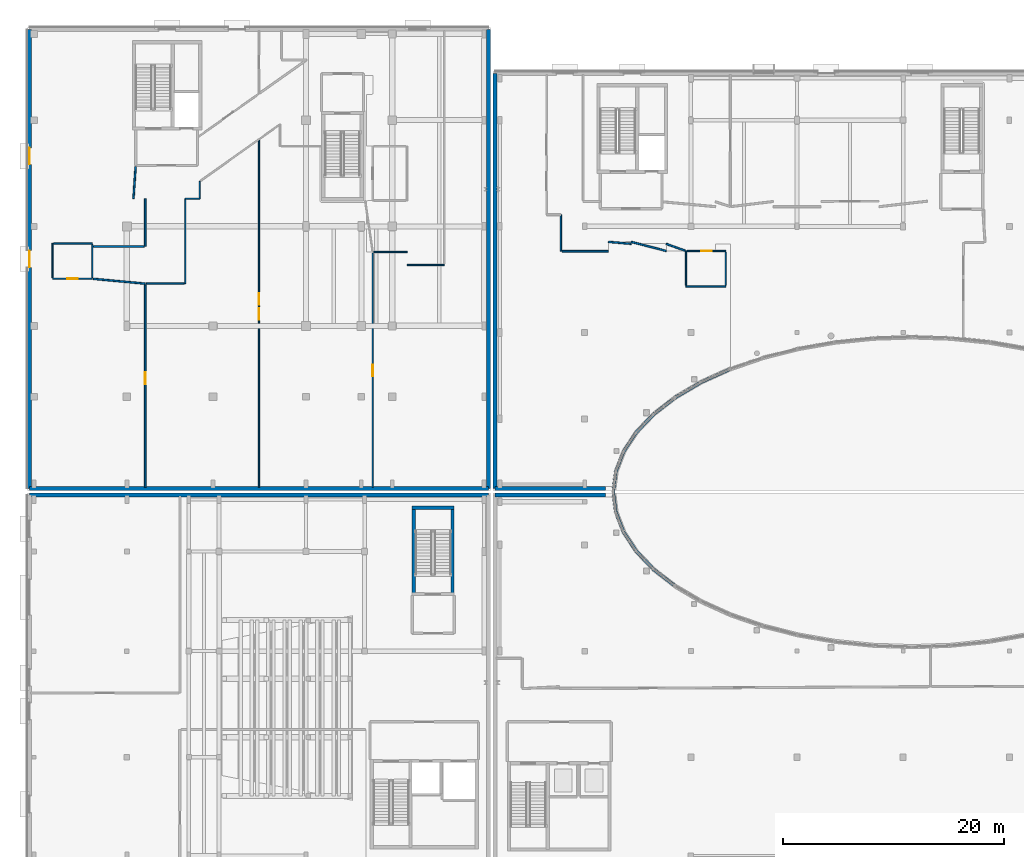
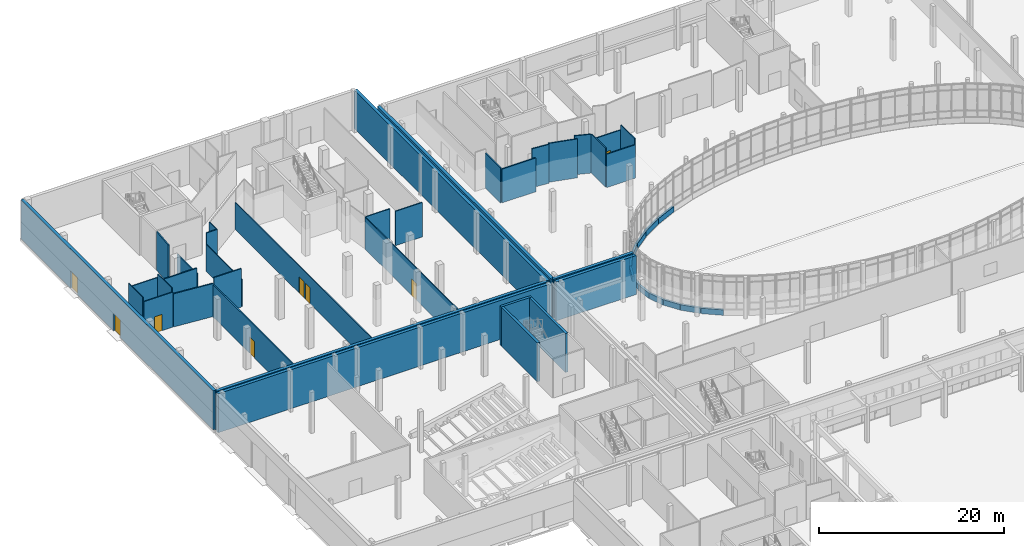
# One storey, part 46 of 84: 48 walls, 8 doors, 8 openings.
"""IFC4 building model written with IfcOpenShell, lengths in metres."""

from ifc_helpers import new_model, si_unit, direction, frame, frame_2d, origin, place, context, subcontext, project, spatial, rectangle, extrude, material, layer, layer_set, type_object, element, fill, save


model = new_model("IFC4")

# Units and contexts
model_context = context("Model", 3, precision=1e-05, world=origin(), true_north=direction((0.0, 1.0)))
body_context = subcontext(model_context, "Body", "Model", "MODEL_VIEW")
ifc_project = project(units=[si_unit("LENGTHUNIT", "METRE"), si_unit("AREAUNIT", "SQUARE_METRE"), si_unit("VOLUMEUNIT", "CUBIC_METRE"), si_unit("PLANEANGLEUNIT", "RADIAN"), si_unit("MASSUNIT", "GRAM", prefix="KILO")], contexts=[model_context])

# Site, building, storey
site_placement = place(None, origin())
site = spatial("IfcSite", under=ifc_project, at=site_placement, CompositionType="ELEMENT")
building_placement = place(site_placement, origin())
building = spatial("IfcBuilding", under=site, at=building_placement, Name="Mzevani Central Library", CompositionType="ELEMENT")
storey_placement = place(building_placement, origin())
storey = spatial("IfcBuildingStorey", under=building, at=storey_placement, Name="L00", CompositionType="ELEMENT", Elevation=0.0)

# Walls
ifc_material_1 = material(Name="Concrete C40/50", Category="concrete")
ifc_layer_1 = layer(ifc_material_1, 0.300048828125, Name="Core Shear Wall 300")
ifc_layer_set_1 = layer_set([ifc_layer_1], Name="Concrete C40/50")
wall_type_1 = type_object("IfcWallType", Name="Core Shear Wall 300", PredefinedType="SHEAR", material=ifc_layer_set_1)
wall_1_placement = place(storey_placement, frame((38.949951171875, 66.60009765625, 0.0), z_axis=(0.0, 0.0, 1.0), x_axis=(0.0, 1.0, 0.0)))
element("IfcWall", 1, at=wall_1_placement, inside=storey, type_object=wall_type_1, Name="L00 Core C5B Lecture North Escape Stair Shear Wall (-x)", PredefinedType="SHEAR", context=body_context, shape_type="SweptSolid", body=[
    extrude(rectangle(XDim=8.099853515625, YDim=0.300048828125, at=frame_2d((4.0498046875, 0.0))), origin(), (0.0, 0.0, 1.0), 5.139892578125),
])
wall_2_placement = place(storey_placement, frame((38.800048828125, 74.550048828125, 0.0), z_axis=(0.0, 0.0, 1.0), x_axis=(1.0, 0.0, 0.0)))
element("IfcWall", 2, at=wall_2_placement, inside=storey, type_object=wall_type_1, Name="L00 Core C5B Lecture North Escape Stair Shear Wall (+y)", PredefinedType="SHEAR", context=body_context, shape_type="SweptSolid", body=[
    extrude(rectangle(XDim=3.800048828125, YDim=0.300048828125, at=frame_2d((1.89990234375, 0.0))), origin(), (0.0, 0.0, 1.0), 5.139892578125),
])
wall_3_placement = place(storey_placement, frame((42.449951171875, 74.699951171875, 0.0), z_axis=(0.0, 0.0, 1.0), x_axis=(0.0, -1.0, 0.0)))
element("IfcWall", 3, at=wall_3_placement, inside=storey, type_object=wall_type_1, Name="L00 Core C5B Lecture North Escape Stair Shear Wall (+x)", PredefinedType="SHEAR", context=body_context, shape_type="SweptSolid", body=[
    extrude(rectangle(XDim=8.099853515625, YDim=0.300048828125, at=frame_2d((4.0498046875, 0.0))), origin(), (0.0, 0.0, 1.0), 5.139892578125),
])
ifc_material_2 = material(Name="Precast concrete C40/50", Category="concrete")
ifc_layer_2 = layer(ifc_material_2, 0.280029296875, Name="Court Spandrel Wall 280")
ifc_layer_set_2 = layer_set([ifc_layer_2], Name="Precast concrete C40/50")
wall_type_2 = type_object("IfcWallType", Name="Court Spandrel Wall 280", PredefinedType="STANDARD", material=ifc_layer_set_2)
wall_4_placement = place(storey_placement, frame((67.49560546875, 87.069580078125, 0.0), z_axis=(0.0, 0.0, 1.0), x_axis=(-0.911231648639, -0.411894261333, 0.0)))
element("IfcWall", 4, at=wall_4_placement, inside=storey, type_object=wall_type_2, Name="L00 Elliptical Court Spandrel 18", PredefinedType="STANDARD", context=body_context, shape_type="SweptSolid", body=[
    extrude(rectangle(XDim=2.892578125, YDim=0.280029296875, at=frame_2d((1.4462890625, 0.0))), origin(), (0.0, 0.0, 1.0), 0.719970703125),
])
wall_5_placement = place(storey_placement, frame((64.84912109375, 85.857421875, 0.0), z_axis=(0.0, 0.0, 1.0), x_axis=(-0.862149496171, -0.506653970923, 0.0)))
element("IfcWall", 5, at=wall_5_placement, inside=storey, type_object=wall_type_2, Name="L00 Elliptical Court Spandrel 19", PredefinedType="STANDARD", context=body_context, shape_type="SweptSolid", body=[
    extrude(rectangle(XDim=2.68115234375, YDim=0.280029296875, at=frame_2d((1.340576171875, 0.0))), origin(), (0.0, 0.0, 1.0), 0.719970703125),
])
wall_6_placement = place(storey_placement, frame((62.530029296875, 84.47998046875, 0.0), z_axis=(0.0, 0.0, 1.0), x_axis=(-0.791815172507, -0.610760781802, 0.0)))
element("IfcWall", 6, at=wall_6_placement, inside=storey, type_object=wall_type_2, Name="L00 Elliptical Court Spandrel 20", PredefinedType="STANDARD", context=body_context, shape_type="SweptSolid", body=[
    extrude(rectangle(XDim=2.45947265625, YDim=0.280029296875, at=frame_2d((1.229736328125, 0.0))), origin(), (0.0, 0.0, 1.0), 0.719970703125),
])
wall_7_placement = place(storey_placement, frame((60.577392578125, 82.960205078125, 0.0), z_axis=(0.0, 0.0, 1.0), x_axis=(-0.691368458863, -0.722502355767, 0.0)))
element("IfcWall", 7, at=wall_7_placement, inside=storey, type_object=wall_type_2, Name="L00 Elliptical Court Spandrel 21", PredefinedType="STANDARD", context=body_context, shape_type="SweptSolid", body=[
    extrude(rectangle(XDim=2.24267578125, YDim=0.280029296875, at=frame_2d((1.121337890625, 0.0))), origin(), (0.0, 0.0, 1.0), 0.719970703125),
])
wall_8_placement = place(storey_placement, frame((59.023193359375, 81.32373046875, 0.0), z_axis=(0.0, 0.0, 1.0), x_axis=(-0.54998854207, -0.835172199963, 0.0)))
element("IfcWall", 8, at=wall_8_placement, inside=storey, type_object=wall_type_2, Name="L00 Elliptical Court Spandrel 22", PredefinedType="STANDARD", context=body_context, shape_type="SweptSolid", body=[
    extrude(rectangle(XDim=2.048583984375, YDim=0.280029296875, at=frame_2d((1.0244140625, 0.0))), origin(), (0.0, 0.0, 1.0), 0.719970703125),
])
wall_9_placement = place(storey_placement, frame((57.894287109375, 79.597412109375, 0.0), z_axis=(0.0, 0.0, 1.0), x_axis=(-0.359995131932, -0.932954181611, 0.0)))
element("IfcWall", 9, at=wall_9_placement, inside=storey, type_object=wall_type_2, Name="L00 Elliptical Court Spandrel 23", PredefinedType="STANDARD", context=body_context, shape_type="SweptSolid", body=[
    extrude(rectangle(XDim=1.899658203125, YDim=0.280029296875, at=frame_2d((0.94970703125, 0.0))), origin(), (0.0, 0.0, 1.0), 0.719970703125),
])
for number, where, z_axis, x_axis, name in (
    (10, (57.20947265625, 77.810302734375, 0.0), (0.0, 0.0, 1.0), (-0.126266296453, -0.991996382241, 0.0), "L00 Elliptical Court Spandrel 24"),
    (11, (56.97998046875, 75.99267578125, 0.0), (0.0, 0.0, 1.0), (0.126266296453, -0.991996382241, 0.0), "L00 Elliptical Court Spandrel 25"),
):
    element("IfcWall", number, at=place(storey_placement, frame(where, z_axis=z_axis, x_axis=x_axis)), inside=storey, type_object=wall_type_2, Name=name, PredefinedType="STANDARD", context=body_context, shape_type="SweptSolid", body=[
        extrude(rectangle(XDim=1.817626953125, YDim=0.280029296875, at=frame_2d((0.90869140625, 0.0))), origin(), (0.0, 0.0, 1.0), 0.719970703125),
    ])
wall_10_placement = place(storey_placement, frame((57.21044921875, 74.1748046875, 0.0), z_axis=(0.0, 0.0, 1.0), x_axis=(0.359995131932, -0.932954181611, 0.0)))
element("IfcWall", 12, at=wall_10_placement, inside=storey, type_object=wall_type_2, Name="L00 Elliptical Court Spandrel 26", PredefinedType="STANDARD", context=body_context, shape_type="SweptSolid", body=[
    extrude(rectangle(XDim=1.899658203125, YDim=0.280029296875, at=frame_2d((0.94970703125, 0.0))), origin(), (0.0, 0.0, 1.0), 0.719970703125),
])
wall_11_placement = place(storey_placement, frame((57.896484375, 72.38720703125, 0.0), z_axis=(0.0, 0.0, 1.0), x_axis=(0.54998854207, -0.835172199963, 0.0)))
element("IfcWall", 13, at=wall_11_placement, inside=storey, type_object=wall_type_2, Name="L00 Elliptical Court Spandrel 27", PredefinedType="STANDARD", context=body_context, shape_type="SweptSolid", body=[
    extrude(rectangle(XDim=2.048583984375, YDim=0.280029296875, at=frame_2d((1.0244140625, 0.0))), origin(), (0.0, 0.0, 1.0), 0.719970703125),
])
wall_12_placement = place(storey_placement, frame((59.02685546875, 70.66015625, 0.0), z_axis=(0.0, 0.0, 1.0), x_axis=(0.691368458863, -0.722502355767, 0.0)))
element("IfcWall", 14, at=wall_12_placement, inside=storey, type_object=wall_type_2, Name="L00 Elliptical Court Spandrel 28", PredefinedType="STANDARD", context=body_context, shape_type="SweptSolid", body=[
    extrude(rectangle(XDim=2.24267578125, YDim=0.280029296875, at=frame_2d((1.121337890625, 0.0))), origin(), (0.0, 0.0, 1.0), 0.719970703125),
])
wall_13_placement = place(storey_placement, frame((60.58251953125, 69.022216796875, 0.0), z_axis=(0.0, 0.0, 1.0), x_axis=(0.791815172507, -0.610760781802, 0.0)))
element("IfcWall", 15, at=wall_13_placement, inside=storey, type_object=wall_type_2, Name="L00 Elliptical Court Spandrel 29", PredefinedType="STANDARD", context=body_context, shape_type="SweptSolid", body=[
    extrude(rectangle(XDim=2.45947265625, YDim=0.280029296875, at=frame_2d((1.229736328125, 0.0))), origin(), (0.0, 0.0, 1.0), 0.719970703125),
])
ifc_layer_3 = layer(ifc_material_2, 0.3798828125, Name="Exterior Thermal Concrete Wall 380")
ifc_layer_set_3 = layer_set([ifc_layer_3], Name="Precast concrete C40/50")
wall_type_3 = type_object("IfcWallType", Name="Exterior Thermal Concrete Wall 380", PredefinedType="STANDARD", material=ifc_layer_set_3)
wall_14_placement = place(storey_placement, frame((46.2900390625, 75.7099609375, 0.0), z_axis=(0.0, 0.0, 1.0), x_axis=(1.0, 0.0, 0.0)))
element("IfcWall", 16, at=wall_14_placement, inside=storey, type_object=wall_type_3, Name="L00 V1 Exterior Thermal Wall (4)", PredefinedType="STANDARD", context=body_context, shape_type="SweptSolid", body=[
    extrude(rectangle(XDim=9.9892578125, YDim=0.3798828125, at=frame_2d((4.99462890625, 0.0))), origin(), (0.0, 0.0, 1.0), 5.139892578125),
])
wall_15_placement = place(storey_placement, frame((45.7099609375, 76.2900390625, 0.0), z_axis=(0.0, 0.0, 1.0), x_axis=(-1.0, 0.0, 0.0)))
element("IfcWall", 17, at=wall_15_placement, inside=storey, type_object=wall_type_3, Name="L00 V2 Exterior Thermal Wall (16)", PredefinedType="STANDARD", context=body_context, shape_type="SweptSolid", body=[
    extrude(rectangle(XDim=41.52001953125, YDim=0.3798828125, at=frame_2d((20.760009765625, 0.0))), origin(), (0.0, 0.0, 1.0), 5.080078125),
])

# Wall, openings, doors
wall_16_placement = place(storey_placement, frame((4.18994140625, 76.2900390625, 0.0), z_axis=(0.0, 0.0, 1.0), x_axis=(0.0, 1.0, 0.0)))
wall_16 = element("IfcWall", 18, at=wall_16_placement, inside=storey, type_object=wall_type_3, Name="L00 V2 Exterior Thermal Wall (17)", PredefinedType="STANDARD", context=body_context, shape_type="SweptSolid", body=[
    extrude(rectangle(XDim=41.52001953125, YDim=0.3798828125, at=frame_2d((20.760009765625, 0.0))), origin(), (0.0, 0.0, 1.0), 5.139892578125),
])
opening_1_placement = place(wall_16_placement, frame((20.010009765625, 0.0, 0.0)))
opening_1 = element("IfcOpeningElement", 19, at=opening_1_placement, cuts=wall_16, Name="Opening ED-01", PredefinedType="OPENING", context=body_context, shape_type="SweptSolid", body=[
    extrude(rectangle(XDim=1.5, YDim=2.300048828125, at=frame_2d((0.75, 1.14990234375))), frame((0.0, 0.199951171875, 0.0), z_axis=(0.0, -1.0, 0.0), x_axis=(1.0, 0.0, 0.0)), (0.0, 0.0, 1.0), 0.39990234375),
])
opening_2_placement = place(wall_16_placement, frame((29.31005859375, 0.0, 0.0)))
opening_2 = element("IfcOpeningElement", 20, at=opening_2_placement, cuts=wall_16, Name="Opening ED-01", PredefinedType="OPENING", context=body_context, shape_type="SweptSolid", body=[
    extrude(rectangle(XDim=1.5, YDim=2.300048828125, at=frame_2d((0.75, 1.14990234375))), frame((0.0, 0.199951171875, 0.0), z_axis=(0.0, -1.0, 0.0), x_axis=(1.0, 0.0, 0.0)), (0.0, 0.0, 1.0), 0.39990234375),
])
ifc_material_3 = material(Name="Anodized architectural bronze")
door_type_1 = type_object("IfcDoorType", Name="Exterior Final Exit Door 1500x2300", OperationType="NOTDEFINED", PredefinedType="DOOR", material=ifc_material_3)
door_1_placement = place(opening_1_placement, origin())
door_1 = element("IfcDoor", 21, at=door_1_placement, inside=storey, type_object=door_type_1, Name="L00 V2 Exterior Entrance / Exit Door (10)", OperationType="SINGLE_SWING_LEFT", OverallHeight=2.300048828125, OverallWidth=1.5, PredefinedType="DOOR", context=body_context, shape_type="SweptSolid", body=[
    extrude(rectangle(XDim=1.5, YDim=2.300048828125, at=frame_2d((0.75, 1.14990234375))), frame((0.0, 0.02490234375, 0.0), z_axis=(0.0, -1.0, 0.0), x_axis=(1.0, 0.0, 0.0)), (0.0, 0.0, 1.0), 0.050048828125),
])
fill(opening_1, door_1)
door_2_placement = place(opening_2_placement, origin())
door_2 = element("IfcDoor", 22, at=door_2_placement, inside=storey, type_object=door_type_1, Name="L00 ST-04 Final Grade Exit Discharge Door", OperationType="SINGLE_SWING_LEFT", OverallHeight=2.300048828125, OverallWidth=1.5, PredefinedType="DOOR", context=body_context, shape_type="SweptSolid", body=[
    extrude(rectangle(XDim=1.5, YDim=2.300048828125, at=frame_2d((0.75, 1.14990234375))), frame((0.0, 0.02490234375, 0.0), z_axis=(0.0, -1.0, 0.0), x_axis=(1.0, 0.0, 0.0)), (0.0, 0.0, 1.0), 0.050048828125),
])
fill(opening_2, door_2)

# Walls
wall_17_placement = place(storey_placement, frame((45.7099609375, 117.81005859375, 0.0), z_axis=(0.0, 0.0, 1.0), x_axis=(0.0, -1.0, 0.0)))
element("IfcWall", 23, at=wall_17_placement, inside=storey, type_object=wall_type_3, Name="L00 V2 Exterior Thermal Wall (19)", PredefinedType="STANDARD", context=body_context, shape_type="SweptSolid", body=[
    extrude(rectangle(XDim=41.52001953125, YDim=0.3798828125, at=frame_2d((20.760009765625, 0.0))), origin(), (0.0, 0.0, 1.0), 5.080078125),
])
wall_18_placement = place(storey_placement, frame((46.2900390625, 76.2900390625, 0.0), z_axis=(0.0, 0.0, 1.0), x_axis=(0.0, 1.0, 0.0)))
element("IfcWall", 24, at=wall_18_placement, inside=storey, type_object=wall_type_3, Name="L00 V3 Exterior Thermal Wall (40)", PredefinedType="STANDARD", context=body_context, shape_type="SweptSolid", body=[
    extrude(rectangle(XDim=37.52001953125, YDim=0.3798828125, at=frame_2d((18.760009765625, 0.0))), origin(), (0.0, 0.0, 1.0), 5.1201171875),
])
wall_19_placement = place(storey_placement, frame((56.279296875, 76.2900390625, 0.0), z_axis=(0.0, 0.0, 1.0), x_axis=(-1.0, 0.0, 0.0)))
element("IfcWall", 25, at=wall_19_placement, inside=storey, type_object=wall_type_3, Name="L00 V3 Exterior Thermal Wall (44)", PredefinedType="STANDARD", context=body_context, shape_type="SweptSolid", body=[
    extrude(rectangle(XDim=9.9892578125, YDim=0.3798828125, at=frame_2d((4.99462890625, 0.0))), origin(), (0.0, 0.0, 1.0), 5.1201171875),
])
wall_20_placement = place(storey_placement, frame((4.18994140625, 75.7099609375, 0.0), z_axis=(0.0, 0.0, 1.0), x_axis=(1.0, 0.0, 0.0)))
element("IfcWall", 26, at=wall_20_placement, inside=storey, type_object=wall_type_3, Name="L00 V5 Exterior Thermal Wall (90)", PredefinedType="STANDARD", context=body_context, shape_type="SweptSolid", body=[
    extrude(rectangle(XDim=41.52001953125, YDim=0.3798828125, at=frame_2d((20.760009765625, 0.0))), origin(), (0.0, 0.0, 1.0), 5.139892578125),
])

# Wall, opening, door
ifc_material_4 = material(Name="Fire-rated gypsum board", Category="gypsum")
ifc_layer_4 = layer(ifc_material_4, 0.1201171875, Name="Partition Acoustic 120")
ifc_layer_set_4 = layer_set([ifc_layer_4], Name="Fire-rated gypsum board")
wall_type_4 = type_object("IfcWallType", Name="Partition Acoustic 120", PredefinedType="PARTITIONING", material=ifc_layer_set_4)
wall_21_placement = place(storey_placement, frame((9.8798828125, 95.264404296875, 0.0), z_axis=(0.0, 0.0, 1.0), x_axis=(-1.0, 0.0, 0.0)))
wall_21 = element("IfcWall", 27, at=wall_21_placement, inside=storey, type_object=wall_type_4, Name="L00 V2 Partition IW-02 (93)", PredefinedType="PARTITIONING", context=body_context, shape_type="SweptSolid", body=[
    extrude(rectangle(XDim=3.599853515625, YDim=0.1201171875, at=frame_2d((1.7998046875, 0.0))), origin(), (0.0, 0.0, 1.0), 4.60009765625),
])
opening_3_placement = place(wall_21_placement, frame((1.324951171875, 0.0, 0.0)))
opening_3 = element("IfcOpeningElement", 28, at=opening_3_placement, cuts=wall_21, Name="Opening ID-02", PredefinedType="OPENING", context=body_context, shape_type="SweptSolid", body=[
    extrude(rectangle(XDim=0.949951171875, YDim=2.14990234375, at=frame_2d((0.47509765625, 1.074951171875))), frame((0.0, 0.070068359375, 0.0), z_axis=(0.0, -1.0, 0.0), x_axis=(1.0, 0.0, 0.0)), (0.0, 0.0, 1.0), 0.14013671875),
])
ifc_material_5 = material(Name="Fire-rated solid oak leaf")
door_type_2 = type_object("IfcDoorType", Name="Accessible WC Door 950x2150", OperationType="NOTDEFINED", PredefinedType="DOOR", material=ifc_material_5)
door_3_placement = place(opening_3_placement, origin())
door_3 = element("IfcDoor", 29, at=door_3_placement, inside=storey, type_object=door_type_2, Name="L00 Accessible WC and Public Toilet V2 Door", OperationType="SINGLE_SWING_RIGHT", OverallHeight=2.14990234375, OverallWidth=0.949951171875, PredefinedType="DOOR", context=body_context, shape_type="SweptSolid", body=[
    extrude(rectangle(XDim=0.949951171875, YDim=2.14990234375, at=frame_2d((0.47509765625, 1.074951171875))), frame((0.0, 0.02490234375, 0.0), z_axis=(0.0, -1.0, 0.0), x_axis=(1.0, 0.0, 0.0)), (0.0, 0.0, 1.0), 0.050048828125),
])
fill(opening_3, door_3)

# Walls
wall_22_placement = place(storey_placement, frame((6.280029296875, 95.3642578125, 0.0), z_axis=(0.0, 0.0, 1.0), x_axis=(0.0, 1.0, 0.0)))
element("IfcWall", 30, at=wall_22_placement, inside=storey, type_object=wall_type_4, Name="L00 V2 Partition IW-02 (94)", PredefinedType="PARTITIONING", context=body_context, shape_type="SweptSolid", body=[
    extrude(rectangle(XDim=3.10009765625, YDim=0.1201171875, at=frame_2d((1.550048828125, 0.0))), origin(), (0.0, 0.0, 1.0), 5.080078125),
])
wall_23_placement = place(storey_placement, frame((6.3798828125, 98.46435546875, 0.0), z_axis=(0.0, 0.0, 1.0), x_axis=(1.0, 0.0, 0.0)))
element("IfcWall", 31, at=wall_23_placement, inside=storey, type_object=wall_type_4, Name="L00 V2 Partition IW-02 (95)", PredefinedType="PARTITIONING", context=body_context, shape_type="SweptSolid", body=[
    extrude(rectangle(XDim=3.5, YDim=0.1201171875, at=frame_2d((1.75, 0.0))), origin(), (0.0, 0.0, 1.0), 4.60009765625),
])
wall_24_placement = place(storey_placement, frame((9.8798828125, 98.3642578125, 0.0), z_axis=(0.0, 0.0, 1.0), x_axis=(0.0, -1.0, 0.0)))
element("IfcWall", 32, at=wall_24_placement, inside=storey, type_object=wall_type_4, Name="L00 V2 Partition IW-02 (96)", PredefinedType="PARTITIONING", context=body_context, shape_type="SweptSolid", body=[
    extrude(rectangle(XDim=3.0, YDim=0.1201171875, at=frame_2d((1.5, 0.0))), origin(), (0.0, 0.0, 1.0), 5.080078125),
])
wall_25_placement = place(storey_placement, frame((18.280029296875, 94.820068359375, 0.0), z_axis=(0.0, 0.0, 1.0), x_axis=(0.0, 1.0, 0.0)))
element("IfcWall", 33, at=wall_25_placement, inside=storey, type_object=wall_type_4, Name="L00 V2 Partition IW-02 (102)", PredefinedType="PARTITIONING", context=body_context, shape_type="SweptSolid", body=[
    extrude(rectangle(XDim=7.679931640625, YDim=0.1201171875, at=frame_2d((3.83984375, 0.0))), origin(), (0.0, 0.0, 1.0), 3.56005859375),
])
wall_26_placement = place(storey_placement, frame((18.280029296875, 102.5, 0.0), z_axis=(0.0, 0.0, 1.0), x_axis=(1.0, 0.0, 0.0)))
element("IfcWall", 34, at=wall_26_placement, inside=storey, type_object=wall_type_4, Name="L00 V2 Partition IW-02 (103)", PredefinedType="PARTITIONING", context=body_context, shape_type="SweptSolid", body=[
    extrude(rectangle(XDim=1.320068359375, YDim=0.1201171875, at=frame_2d((0.66015625, 0.0))), origin(), (0.0, 0.0, 1.0), 5.080078125),
])
wall_27_placement = place(storey_placement, frame((19.60009765625, 102.5, 0.0), z_axis=(0.0, 0.0, 1.0), x_axis=(0.0, 1.0, 0.0)))
element("IfcWall", 35, at=wall_27_placement, inside=storey, type_object=wall_type_4, Name="L00 V2 Partition IW-02 (104)", PredefinedType="PARTITIONING", context=body_context, shape_type="SweptSolid", body=[
    extrude(rectangle(XDim=1.571044921875, YDim=0.1201171875, at=frame_2d((0.78564453125, 0.0))), origin(), (0.0, 0.0, 1.0), 5.080078125),
])

# Wall, openings, doors
wall_28_placement = place(storey_placement, frame((24.949951171875, 107.773193359375, 0.0), z_axis=(0.0, 0.0, 1.0), x_axis=(0.0, -1.0, 0.0)))
wall_28 = element("IfcWall", 36, at=wall_28_placement, inside=storey, type_object=wall_type_4, Name="L00 V2 Partition IW-02 (106)", PredefinedType="PARTITIONING", context=body_context, shape_type="SweptSolid", body=[
    extrude(rectangle(XDim=31.38330078125, YDim=0.1201171875, at=frame_2d((15.691650390625, 0.0))), origin(), (0.0, 0.0, 1.0), 3.56005859375),
])
opening_4_placement = place(wall_28_placement, frame((15.16650390625, 0.0, 0.0)))
opening_4 = element("IfcOpeningElement", 37, at=opening_4_placement, cuts=wall_28, Name="Opening ID-05", PredefinedType="OPENING", context=body_context, shape_type="SweptSolid", body=[
    extrude(rectangle(XDim=1.050048828125, YDim=2.14990234375, at=frame_2d((0.52490234375, 1.074951171875))), frame((0.0, 0.070068359375, 0.0), z_axis=(0.0, -1.0, 0.0), x_axis=(1.0, 0.0, 0.0)), (0.0, 0.0, 1.0), 0.14013671875),
])
opening_5_placement = place(wall_28_placement, frame((13.841552734375, 0.0, 0.0)))
opening_5 = element("IfcOpeningElement", 38, at=opening_5_placement, cuts=wall_28, Name="Opening ID-04", PredefinedType="OPENING", context=body_context, shape_type="SweptSolid", body=[
    extrude(rectangle(XDim=1.0, YDim=2.14990234375, at=frame_2d((0.5, 1.074951171875))), frame((0.0, 0.070068359375, 0.0), z_axis=(0.0, -1.0, 0.0), x_axis=(1.0, 0.0, 0.0)), (0.0, 0.0, 1.0), 0.14013671875),
])
door_type_3 = type_object("IfcDoorType", Name="Conservation Lab Door 1050x2150", OperationType="NOTDEFINED", PredefinedType="DOOR", material=ifc_material_5)
door_4_placement = place(opening_4_placement, origin())
door_4 = element("IfcDoor", 39, at=door_4_placement, inside=storey, type_object=door_type_3, Name="L00 Preservation and Paper Conservation Laboratory Door", OperationType="SINGLE_SWING_RIGHT", OverallHeight=2.14990234375, OverallWidth=1.050048828125, PredefinedType="DOOR", context=body_context, shape_type="SweptSolid", body=[
    extrude(rectangle(XDim=1.050048828125, YDim=2.14990234375, at=frame_2d((0.52490234375, 1.074951171875))), frame((0.0, 0.02490234375, 0.0), z_axis=(0.0, -1.0, 0.0), x_axis=(1.0, 0.0, 0.0)), (0.0, 0.0, 1.0), 0.050048828125),
])
fill(opening_4, door_4)
door_type_4 = type_object("IfcDoorType", Name="Staff Office Door 1000x2150", OperationType="NOTDEFINED", PredefinedType="DOOR", material=ifc_material_5)
door_5_placement = place(opening_5_placement, origin())
door_5 = element("IfcDoor", 40, at=door_5_placement, inside=storey, type_object=door_type_4, Name="L00 Cataloguing and Metadata Office Door", OperationType="SINGLE_SWING_RIGHT", OverallHeight=2.14990234375, OverallWidth=1.0, PredefinedType="DOOR", context=body_context, shape_type="SweptSolid", body=[
    extrude(rectangle(XDim=1.0, YDim=2.14990234375, at=frame_2d((0.5, 1.074951171875))), frame((0.0, 0.02490234375, 0.0), z_axis=(0.0, -1.0, 0.0), x_axis=(1.0, 0.0, 0.0)), (0.0, 0.0, 1.0), 0.050048828125),
])
fill(opening_5, door_5)

# Walls
wall_29_placement = place(storey_placement, frame((14.764892578125, 94.820068359375, 0.0), z_axis=(0.0, 0.0, 1.0), x_axis=(1.0, 0.0, 0.0)))
element("IfcWall", 41, at=wall_29_placement, inside=storey, type_object=wall_type_4, Name="L00 V2 Partition IW-02 (107)", PredefinedType="PARTITIONING", context=body_context, shape_type="SweptSolid", body=[
    extrude(rectangle(XDim=3.4150390625, YDim=0.1201171875, at=frame_2d((1.70751953125, 0.0))), origin(), (0.0, 0.0, 1.0), 5.080078125),
])
wall_30_placement = place(storey_placement, frame((38.340087890625, 96.5, 0.0), z_axis=(0.0, 0.0, 1.0), x_axis=(1.0, 0.0, 0.0)))
element("IfcWall", 42, at=wall_30_placement, inside=storey, type_object=wall_type_4, Name="L00 V2 Partition IW-02 (119)", PredefinedType="PARTITIONING", context=body_context, shape_type="SweptSolid", body=[
    extrude(rectangle(XDim=3.35986328125, YDim=0.1201171875, at=frame_2d((1.679931640625, 0.0))), origin(), (0.0, 0.0, 1.0), 4.5400390625),
])
wall_31_placement = place(storey_placement, frame((35.3349609375, 97.675048828125, 0.0), z_axis=(0.0, 0.0, 1.0), x_axis=(1.0, 0.0, 0.0)))
element("IfcWall", 43, at=wall_31_placement, inside=storey, type_object=wall_type_4, Name="L00 V2 Partition IW-02 (121)", PredefinedType="PARTITIONING", context=body_context, shape_type="SweptSolid", body=[
    extrude(rectangle(XDim=3.005126953125, YDim=0.1201171875, at=frame_2d((1.50244140625, 0.0))), origin(), (0.0, 0.0, 1.0), 4.159912109375),
])
wall_32_placement = place(storey_placement, frame((67.157470703125, 94.574951171875, 0.0), z_axis=(0.0, 0.0, 1.0), x_axis=(-1.0, 0.0, 0.0)))
element("IfcWall", 44, at=wall_32_placement, inside=storey, type_object=wall_type_4, Name="L00 V3 Partition IW-02 (125)", PredefinedType="PARTITIONING", context=body_context, shape_type="SweptSolid", body=[
    extrude(rectangle(XDim=3.599853515625, YDim=0.1201171875, at=frame_2d((1.7998046875, 0.0))), origin(), (0.0, 0.0, 1.0), 4.39990234375),
])
wall_33_placement = place(storey_placement, frame((63.5576171875, 94.675048828125, 0.0), z_axis=(0.0, 0.0, 1.0), x_axis=(0.0, 1.0, 0.0)))
element("IfcWall", 45, at=wall_33_placement, inside=storey, type_object=wall_type_4, Name="L00 V3 Partition IW-02 (126)", PredefinedType="PARTITIONING", context=body_context, shape_type="SweptSolid", body=[
    extrude(rectangle(XDim=3.099853515625, YDim=0.1201171875, at=frame_2d((1.5498046875, 0.0))), origin(), (0.0, 0.0, 1.0), 5.1201171875),
])

# Wall, opening, door
wall_34_placement = place(storey_placement, frame((63.657470703125, 97.77490234375, 0.0), z_axis=(0.0, 0.0, 1.0), x_axis=(1.0, 0.0, 0.0)))
wall_34 = element("IfcWall", 46, at=wall_34_placement, inside=storey, type_object=wall_type_4, Name="L00 V3 Partition IW-02 (127)", PredefinedType="PARTITIONING", context=body_context, shape_type="SweptSolid", body=[
    extrude(rectangle(XDim=3.5, YDim=0.1201171875, at=frame_2d((1.75, 0.0))), origin(), (0.0, 0.0, 1.0), 4.39990234375),
])
opening_6_placement = place(wall_34_placement, frame((1.27490234375, 0.0, 0.0)))
opening_6 = element("IfcOpeningElement", 47, at=opening_6_placement, cuts=wall_34, Name="Opening ID-02", PredefinedType="OPENING", context=body_context, shape_type="SweptSolid", body=[
    extrude(rectangle(XDim=0.949951171875, YDim=2.14990234375, at=frame_2d((0.47509765625, 1.074951171875))), frame((0.0, 0.070068359375, 0.0), z_axis=(0.0, -1.0, 0.0), x_axis=(1.0, 0.0, 0.0)), (0.0, 0.0, 1.0), 0.14013671875),
])
door_6_placement = place(opening_6_placement, origin())
door_6 = element("IfcDoor", 48, at=door_6_placement, inside=storey, type_object=door_type_2, Name="L00 Accessible WC and Public Toilet V3 Door", OperationType="SINGLE_SWING_RIGHT", OverallHeight=2.14990234375, OverallWidth=0.949951171875, PredefinedType="DOOR", context=body_context, shape_type="SweptSolid", body=[
    extrude(rectangle(XDim=0.949951171875, YDim=2.14990234375, at=frame_2d((0.47509765625, 1.074951171875))), frame((0.0, 0.02490234375, 0.0), z_axis=(0.0, -1.0, 0.0), x_axis=(1.0, 0.0, 0.0)), (0.0, 0.0, 1.0), 0.050048828125),
])
fill(opening_6, door_6)

# Wall
wall_35_placement = place(storey_placement, frame((67.157470703125, 97.675048828125, 0.0), z_axis=(0.0, 0.0, 1.0), x_axis=(0.0, -1.0, 0.0)))
element("IfcWall", 49, at=wall_35_placement, inside=storey, type_object=wall_type_4, Name="L00 V3 Partition IW-02 (128)", PredefinedType="PARTITIONING", context=body_context, shape_type="SweptSolid", body=[
    extrude(rectangle(XDim=3.0, YDim=0.1201171875, at=frame_2d((1.5, 0.0))), origin(), (0.0, 0.0, 1.0), 5.1201171875),
])

# Wall, opening, door
ifc_layer_5 = layer(ifc_material_4, 0.10009765625, Name="Partition Gypsum 100")
ifc_layer_set_5 = layer_set([ifc_layer_5], Name="Fire-rated gypsum board")
wall_type_5 = type_object("IfcWallType", Name="Partition Gypsum 100", PredefinedType="PARTITIONING", material=ifc_layer_set_5)
wall_36_placement = place(storey_placement, frame((35.235107421875, 97.574951171875, 0.0), z_axis=(0.0, 0.0, 1.0), x_axis=(0.0, -1.0, 0.0)))
wall_36 = element("IfcWall", 50, at=wall_36_placement, inside=storey, type_object=wall_type_5, Name="L00 V2 Partition IW-01 (114)", PredefinedType="PARTITIONING", context=body_context, shape_type="SweptSolid", body=[
    extrude(rectangle(XDim=21.18505859375, YDim=0.10009765625, at=frame_2d((10.592529296875, 0.0))), origin(), (0.0, 0.0, 1.0), 4.2099609375),
])
opening_7_placement = place(wall_36_placement, frame((10.0673828125, 0.0, 0.0)))
opening_7 = element("IfcOpeningElement", 51, at=opening_7_placement, cuts=wall_36, Name="Opening ID-05", PredefinedType="OPENING", context=body_context, shape_type="SweptSolid", body=[
    extrude(rectangle(XDim=1.050048828125, YDim=2.14990234375, at=frame_2d((0.52490234375, 1.074951171875))), frame((0.0, 0.06005859375, 0.0), z_axis=(0.0, -1.0, 0.0), x_axis=(1.0, 0.0, 0.0)), (0.0, 0.0, 1.0), 0.1201171875),
])
door_7_placement = place(opening_7_placement, origin())
door_7 = element("IfcDoor", 52, at=door_7_placement, inside=storey, type_object=door_type_3, Name="L00 Preservation and Paper Conservation Laboratory 3 Door", OperationType="SINGLE_SWING_RIGHT", OverallHeight=2.14990234375, OverallWidth=1.050048828125, PredefinedType="DOOR", context=body_context, shape_type="SweptSolid", body=[
    extrude(rectangle(XDim=1.050048828125, YDim=2.14990234375, at=frame_2d((0.52490234375, 1.074951171875))), frame((0.0, 0.02490234375, 0.0), z_axis=(0.0, -1.0, 0.0), x_axis=(1.0, 0.0, 0.0)), (0.0, 0.0, 1.0), 0.050048828125),
])
fill(opening_7, door_7)

# Walls
ifc_layer_6 = layer(ifc_material_4, 0.14990234375, Name="Partition Study 150")
ifc_layer_set_6 = layer_set([ifc_layer_6], Name="Fire-rated gypsum board")
wall_type_6 = type_object("IfcWallType", Name="Partition Study 150", PredefinedType="PARTITIONING", material=ifc_layer_set_6)
wall_37_placement = place(storey_placement, frame((13.793212890625, 105.400146484375, 0.0), z_axis=(0.0, 0.0, 1.0), x_axis=(-0.066440960793, -0.997790358106, 0.0)))
element("IfcWall", 53, at=wall_37_placement, inside=storey, type_object=wall_type_6, Name="L00 V2 Partition IW-03 (97)", PredefinedType="PARTITIONING", context=body_context, shape_type="SweptSolid", body=[
    extrude(rectangle(XDim=2.906494140625, YDim=0.14990234375, at=frame_2d((1.453125, 0.0))), origin(), (0.0, 0.0, 1.0), 5.080078125),
])
wall_38_placement = place(storey_placement, frame((14.6650390625, 102.5, 0.0), z_axis=(0.0, 0.0, 1.0), x_axis=(0.0, -1.0, 0.0)))
element("IfcWall", 54, at=wall_38_placement, inside=storey, type_object=wall_type_6, Name="L00 V2 Partition IW-03 (98)", PredefinedType="PARTITIONING", context=body_context, shape_type="SweptSolid", body=[
    extrude(rectangle(XDim=4.320068359375, YDim=0.14990234375, at=frame_2d((2.16015625, 0.0))), origin(), (0.0, 0.0, 1.0), 3.56005859375),
])
wall_39_placement = place(storey_placement, frame((14.56494140625, 98.179931640625, 0.0), z_axis=(0.0, 0.0, 1.0), x_axis=(-1.0, 0.0, 0.0)))
element("IfcWall", 55, at=wall_39_placement, inside=storey, type_object=wall_type_6, Name="L00 V2 Partition IW-03 (99)", PredefinedType="PARTITIONING", context=body_context, shape_type="SweptSolid", body=[
    extrude(rectangle(XDim=4.5849609375, YDim=0.14990234375, at=frame_2d((2.29248046875, 0.0))), origin(), (0.0, 0.0, 1.0), 4.360107421875),
])
wall_40_placement = place(storey_placement, frame((9.9794921875, 95.255126953125, 0.0), z_axis=(0.0, 0.0, 1.0), x_axis=(0.995717002526, -0.092453506591, 0.0)))
element("IfcWall", 56, at=wall_40_placement, inside=storey, type_object=wall_type_6, Name="L00 V2 Partition IW-03 (100)", PredefinedType="PARTITIONING", context=body_context, shape_type="SweptSolid", body=[
    extrude(rectangle(XDim=4.705810546875, YDim=0.14990234375, at=frame_2d((2.35302734375, 0.0))), origin(), (0.0, 0.0, 1.0), 4.360107421875),
])

# Wall, opening, door
wall_41_placement = place(storey_placement, frame((14.6650390625, 94.719970703125, 0.0), z_axis=(0.0, 0.0, 1.0), x_axis=(0.0, -1.0, 0.0)))
wall_41 = element("IfcWall", 57, at=wall_41_placement, inside=storey, type_object=wall_type_6, Name="L00 V2 Partition IW-03 (101)", PredefinedType="PARTITIONING", context=body_context, shape_type="SweptSolid", body=[
    extrude(rectangle(XDim=18.330078125, YDim=0.14990234375, at=frame_2d((9.1650390625, 0.0))), origin(), (0.0, 0.0, 1.0), 4.260009765625),
])
opening_8_placement = place(wall_41_placement, frame((7.9150390625, 0.0, 0.0)))
opening_8 = element("IfcOpeningElement", 58, at=opening_8_placement, cuts=wall_41, Name="Opening FD-04", PredefinedType="OPENING", context=body_context, shape_type="SweptSolid", body=[
    extrude(rectangle(XDim=1.10009765625, YDim=2.14990234375, at=frame_2d((0.550048828125, 1.074951171875))), frame((0.0, 0.0849609375, 0.0), z_axis=(0.0, -1.0, 0.0), x_axis=(1.0, 0.0, 0.0)), (0.0, 0.0, 1.0), 0.169921875),
])
ifc_material_6 = material(Name="Fire-rated steel door assembly", Category="steel")
door_type_5 = type_object("IfcDoorType", Name="Fire Compartment Door 1100x2150", OperationType="NOTDEFINED", PredefinedType="DOOR", material=ifc_material_6)
door_8_placement = place(opening_8_placement, origin())
door_8 = element("IfcDoor", 59, at=door_8_placement, inside=storey, type_object=door_type_5, Name="L00 Closed-Access Book Acquisitions Hall Door", OperationType="SINGLE_SWING_LEFT", OverallHeight=2.14990234375, OverallWidth=1.10009765625, PredefinedType="DOOR", context=body_context, shape_type="SweptSolid", body=[
    extrude(rectangle(XDim=1.10009765625, YDim=2.14990234375, at=frame_2d((0.550048828125, 1.074951171875))), frame((0.0, 0.02490234375, 0.0), z_axis=(0.0, -1.0, 0.0), x_axis=(1.0, 0.0, 0.0)), (0.0, 0.0, 1.0), 0.050048828125),
])
fill(opening_8, door_8)

# Walls
wall_42_placement = place(storey_placement, frame((52.25, 101.050048828125, 0.0), z_axis=(0.0, 0.0, 1.0), x_axis=(0.0, -1.0, 0.0)))
element("IfcWall", 60, at=wall_42_placement, inside=storey, type_object=wall_type_6, Name="L00 V3 Partition IW-03 (129)", PredefinedType="PARTITIONING", context=body_context, shape_type="SweptSolid", body=[
    extrude(rectangle(XDim=3.300048828125, YDim=0.14990234375, at=frame_2d((1.64990234375, 0.0))), origin(), (0.0, 0.0, 1.0), 4.60009765625),
])
wall_43_placement = place(storey_placement, frame((52.35009765625, 97.75, 0.0), z_axis=(0.0, 0.0, 1.0), x_axis=(1.0, 0.0, 0.0)))
element("IfcWall", 61, at=wall_43_placement, inside=storey, type_object=wall_type_6, Name="L00 V3 Partition IW-03 (130)", PredefinedType="PARTITIONING", context=body_context, shape_type="SweptSolid", body=[
    extrude(rectangle(XDim=4.199951171875, YDim=0.14990234375, at=frame_2d((2.10009765625, 0.0))), origin(), (0.0, 0.0, 1.0), 4.449951171875),
])
wall_44_placement = place(storey_placement, frame((56.550048828125, 98.60009765625, 0.0), z_axis=(0.0, 0.0, 1.0), x_axis=(0.996160034793, -0.087551042715, 0.0)))
element("IfcWall", 62, at=wall_44_placement, inside=storey, type_object=wall_type_6, Name="L00 V3 Partition IW-03 (131)", PredefinedType="PARTITIONING", context=body_context, shape_type="SweptSolid", body=[
    extrude(rectangle(XDim=2.057861328125, YDim=0.14990234375, at=frame_2d((1.02880859375, 0.0))), origin(), (0.0, 0.0, 1.0), 5.1201171875),
])
wall_45_placement = place(storey_placement, frame((58.60009765625, 98.60009765625, 0.0), z_axis=(0.0, 0.0, 1.0), x_axis=(0.967841354679, -0.251561348725, 0.0)))
element("IfcWall", 63, at=wall_45_placement, inside=storey, type_object=wall_type_6, Name="L00 V3 Partition IW-03 (132)", PredefinedType="PARTITIONING", context=body_context, shape_type="SweptSolid", body=[
    extrude(rectangle(XDim=3.2802734375, YDim=0.14990234375, at=frame_2d((1.64013671875, 0.0))), origin(), (0.0, 0.0, 1.0), 5.1201171875),
])
wall_46_placement = place(storey_placement, frame((61.77490234375, 98.419921875, 0.0), z_axis=(0.0, 0.0, 1.0), x_axis=(0.940355866942, -0.340192362506, 0.0)))
element("IfcWall", 64, at=wall_46_placement, inside=storey, type_object=wall_type_6, Name="L00 V3 Partition IW-03 (133)", PredefinedType="PARTITIONING", context=body_context, shape_type="SweptSolid", body=[
    extrude(rectangle(XDim=1.795654296875, YDim=0.14990234375, at=frame_2d((0.89794921875, 0.0))), origin(), (0.0, 0.0, 1.0), 5.1201171875),
])

save(model, "model.ifc")
